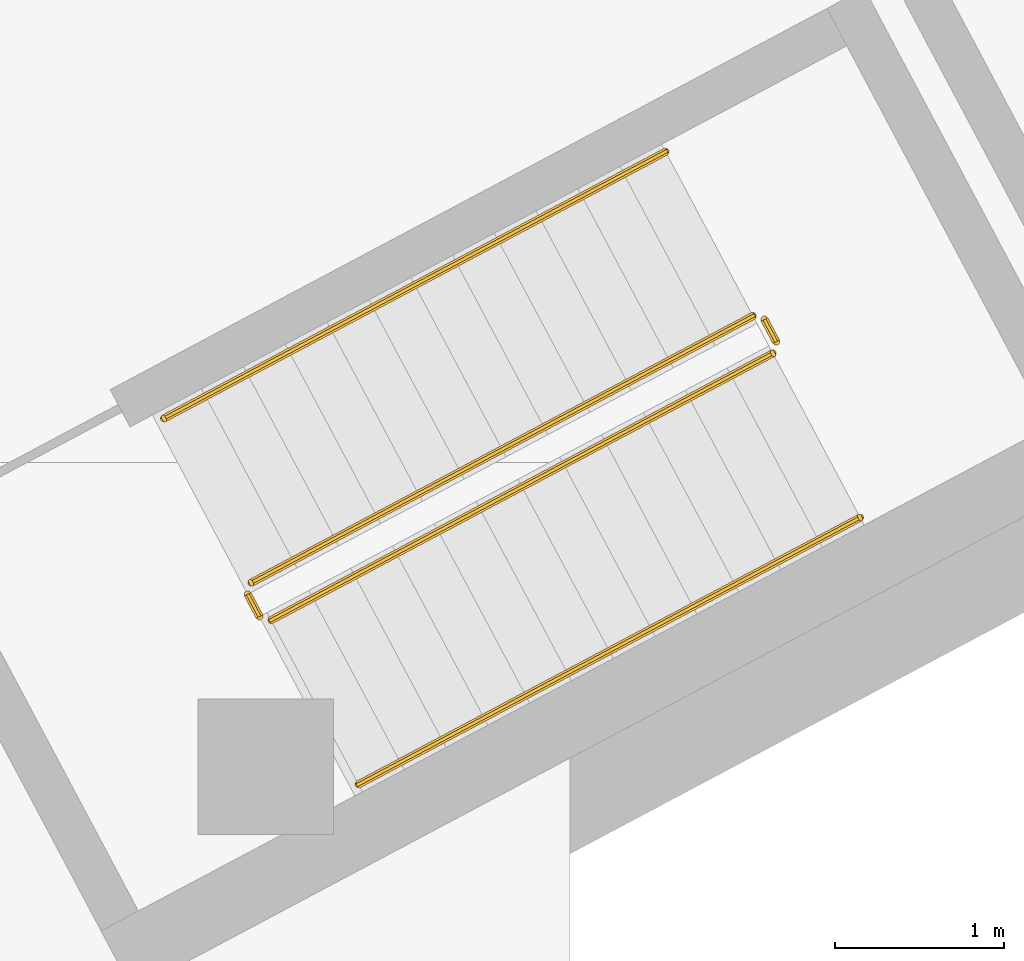
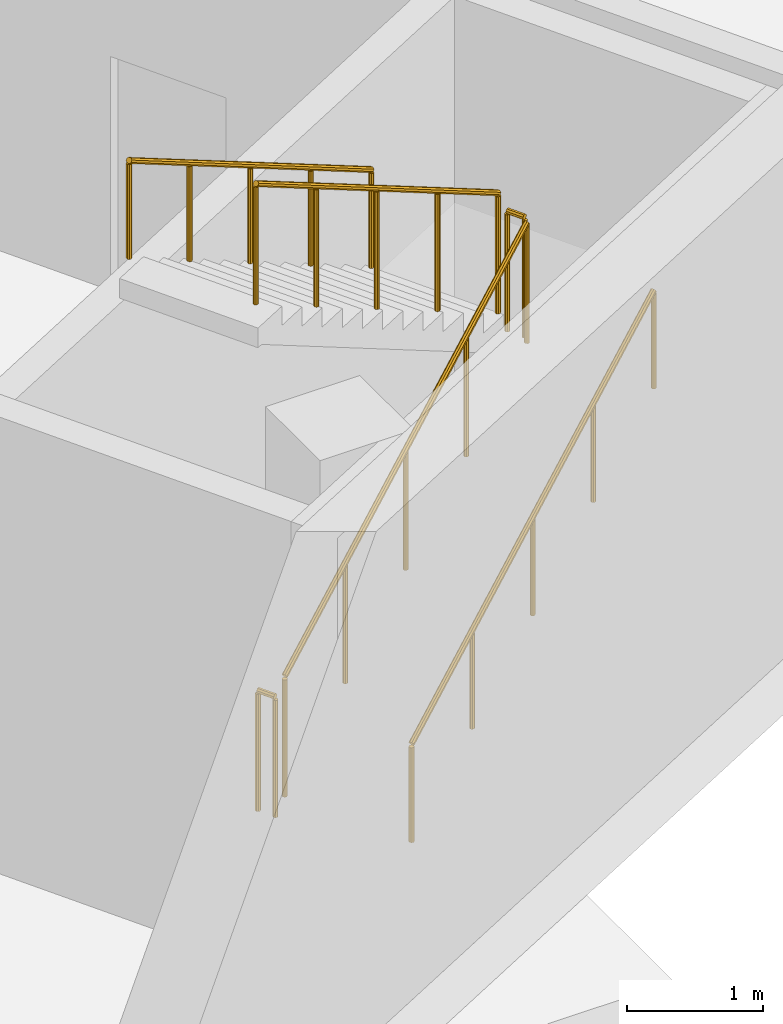
# One storey, part 27 of 29: 6 railings.
"""IFC4 building model written with IfcOpenShell, lengths in metres."""

from ifc_helpers import new_model, si_unit, direction, frame, origin, place, context, subcontext, project, spatial, polyline, outline, extrude, material, type_object, element, save


model = new_model("IFC4")

# Units and contexts
model_context = context("Model", 3, precision=1e-05, world=origin(), true_north=direction((0.0, 1.0)))
body_context = subcontext(model_context, "Body", "Model", "MODEL_VIEW")
ifc_project = project(units=[si_unit("LENGTHUNIT", "METRE"), si_unit("AREAUNIT", "SQUARE_METRE"), si_unit("VOLUMEUNIT", "CUBIC_METRE"), si_unit("PLANEANGLEUNIT", "RADIAN"), si_unit("MASSUNIT", "GRAM", prefix="KILO")], contexts=[model_context])

# Site, building, storey
site_placement = place(None, origin())
site = spatial("IfcSite", under=ifc_project, at=site_placement, CompositionType="ELEMENT")
building_placement = place(site_placement, origin())
building = spatial("IfcBuilding", under=site, at=building_placement, Name="Cormorant Relay Tower", CompositionType="ELEMENT")
storey_placement = place(building_placement, frame((0.0, 0.0, -9.0)))
storey = spatial("IfcBuildingStorey", under=building, at=storey_placement, Name="B2", CompositionType="ELEMENT", Elevation=-9.0)

# Railings
ifc_material_1 = material(Name="Steel ASTM A572 Grade 50 (Fy 345 MPa)", Category="steel")
railing_type_1 = type_object("IfcRailingType", Name="Podium stair guard 1100", PredefinedType="GUARDRAIL", material=ifc_material_1)
railing_1_placement = place(storey_placement, frame((70.831787109375, 2.04248046875, 0.173095703125)))
element("IfcRailing", 1, at=railing_1_placement, inside=storey, type_object=railing_type_1, Name="B2 X1 stair guard 1", PredefinedType="GUARDRAIL", context=body_context, shape_type="SweptSolid", body=[
    extrude(outline(polyline([(0.022216796875, 0.00927734375), (0.00927734375, 0.022216796875), (-0.00927734375, 0.022216796875), (-0.022216796875, 0.00927734375), (-0.022216796875, -0.00927734375), (-0.00927734375, -0.022216796875), (0.00927734375, -0.022216796875), (0.022216796875, -0.00927734375), (0.022216796875, 0.00927734375)])), frame((0.0, 0.0, 1.076171875), z_axis=(0.751043225181, 0.399377988901, 0.525767340077), x_axis=(-0.469509342547, 0.882927503967, 0.0)), (0.0, 0.0, 1.0), 3.9501953125),
    extrude(outline(polyline([(0.019287109375, 0.008056640625), (0.008056640625, 0.019287109375), (-0.008056640625, 0.019287109375), (-0.019287109375, 0.008056640625), (-0.019287109375, -0.008056640625), (-0.008056640625, -0.019287109375), (0.008056640625, -0.019287109375), (0.019287109375, -0.008056640625), (0.019287109375, 0.008056640625)])), origin(), (0.0, 0.0, 1.0), 1.052001953125),
    extrude(outline(polyline([(0.019287109375, 0.008056640625), (0.008056640625, 0.019287109375), (-0.008056640625, 0.019287109375), (-0.019287109375, 0.008056640625), (-0.019287109375, -0.008056640625), (-0.008056640625, -0.019287109375), (0.008056640625, -0.019287109375), (0.019287109375, -0.008056640625), (0.019287109375, 0.008056640625)])), frame((0.74169921875, 0.39453125, 0.519287109375)), (0.0, 0.0, 1.0), 1.052001953125),
    extrude(outline(polyline([(0.019287109375, 0.008056640625), (0.008056640625, 0.019287109375), (-0.008056640625, 0.019287109375), (-0.019287109375, 0.008056640625), (-0.019287109375, -0.008056640625), (-0.008056640625, -0.019287109375), (0.008056640625, -0.019287109375), (0.019287109375, -0.008056640625), (0.019287109375, 0.008056640625)])), frame((1.4833984375, 0.788818359375, 1.03857421875)), (0.0, 0.0, 1.0), 1.052001953125),
    extrude(outline(polyline([(0.019287109375, 0.008056640625), (0.008056640625, 0.019287109375), (-0.008056640625, 0.019287109375), (-0.019287109375, 0.008056640625), (-0.019287109375, -0.008056640625), (-0.008056640625, -0.019287109375), (0.008056640625, -0.019287109375), (0.019287109375, -0.008056640625), (0.019287109375, 0.008056640625)])), frame((2.22509765625, 1.18310546875, 1.5576171875)), (0.0, 0.0, 1.0), 1.052001953125),
    extrude(outline(polyline([(0.019287109375, 0.008056640625), (0.008056640625, 0.019287109375), (-0.008056640625, 0.019287109375), (-0.019287109375, 0.008056640625), (-0.019287109375, -0.008056640625), (-0.008056640625, -0.019287109375), (0.008056640625, -0.019287109375), (0.019287109375, -0.008056640625), (0.019287109375, 0.008056640625)])), frame((2.966796875, 1.57763671875, 2.076904296875)), (0.0, 0.0, 1.0), 1.052001953125),
])
railing_2_placement = place(storey_placement, frame((73.819091796875, 3.687744140625, 2.25)))
element("IfcRailing", 2, at=railing_2_placement, inside=storey, type_object=railing_type_1, Name="B2 X1 stair guard 2", PredefinedType="GUARDRAIL", context=body_context, shape_type="SweptSolid", body=[
    extrude(outline(polyline([(0.022216796875, 0.00927734375), (0.00927734375, 0.022216796875), (-0.00927734375, 0.022216796875), (-0.022216796875, 0.00927734375), (-0.022216796875, -0.00927734375), (-0.00927734375, -0.022216796875), (0.00927734375, -0.022216796875), (0.022216796875, -0.00927734375), (0.022216796875, 0.00927734375)])), frame((0.0, 0.0, 1.076171875), z_axis=(-0.469234640946, 0.883073525669, 0.0), x_axis=(-0.883073525669, -0.469234640946, 0.0)), (0.0, 0.0, 1.0), 0.14990234375),
    extrude(outline(polyline([(0.019287109375, 0.008056640625), (0.008056640625, 0.019287109375), (-0.008056640625, 0.019287109375), (-0.019287109375, 0.008056640625), (-0.019287109375, -0.008056640625), (-0.008056640625, -0.019287109375), (0.008056640625, -0.019287109375), (0.019287109375, -0.008056640625), (0.019287109375, 0.008056640625)])), origin(), (0.0, 0.0, 1.0), 1.052001953125),
    extrude(outline(polyline([(0.019287109375, 0.008056640625), (0.008056640625, 0.019287109375), (-0.008056640625, 0.019287109375), (-0.019287109375, 0.008056640625), (-0.019287109375, -0.008056640625), (-0.008056640625, -0.019287109375), (0.008056640625, -0.019287109375), (0.019287109375, -0.008056640625), (0.019287109375, 0.008056640625)])), frame((-0.0703125, 0.13232421875, 0.0)), (0.0, 0.0, 1.0), 1.052001953125),
])
railing_3_placement = place(storey_placement, frame((73.68115234375, 3.8408203125, 2.423095703125)))
element("IfcRailing", 3, at=railing_3_placement, inside=storey, type_object=railing_type_1, Name="B2 X1 stair guard 3", PredefinedType="GUARDRAIL", context=body_context, shape_type="SweptSolid", body=[
    extrude(outline(polyline([(0.022216796875, 0.00927734375), (0.00927734375, 0.022216796875), (-0.00927734375, 0.022216796875), (-0.022216796875, 0.00927734375), (-0.022216796875, -0.00927734375), (-0.00927734375, -0.022216796875), (0.00927734375, -0.022216796875), (0.022216796875, -0.00927734375), (0.022216796875, 0.00927734375)])), frame((0.0, 0.0, 1.076171875), z_axis=(-0.751061762576, -0.399326040817, 0.525780317169), x_axis=(0.46945269911, -0.882957622595, 0.0)), (0.0, 0.0, 1.0), 3.9501953125),
    extrude(outline(polyline([(0.019287109375, 0.008056640625), (0.008056640625, 0.019287109375), (-0.008056640625, 0.019287109375), (-0.019287109375, 0.008056640625), (-0.019287109375, -0.008056640625), (-0.008056640625, -0.019287109375), (0.008056640625, -0.019287109375), (0.019287109375, -0.008056640625), (0.019287109375, 0.008056640625)])), origin(), (0.0, 0.0, 1.0), 1.052001953125),
    extrude(outline(polyline([(0.019287109375, 0.008056640625), (0.008056640625, 0.019287109375), (-0.008056640625, 0.019287109375), (-0.019287109375, 0.008056640625), (-0.019287109375, -0.008056640625), (-0.008056640625, -0.019287109375), (0.008056640625, -0.019287109375), (0.019287109375, -0.008056640625), (0.019287109375, 0.008056640625)])), frame((-0.74169921875, -0.394287109375, 0.519287109375)), (0.0, 0.0, 1.0), 1.052001953125),
    extrude(outline(polyline([(0.019287109375, 0.008056640625), (0.008056640625, 0.019287109375), (-0.008056640625, 0.019287109375), (-0.019287109375, 0.008056640625), (-0.019287109375, -0.008056640625), (-0.008056640625, -0.019287109375), (0.008056640625, -0.019287109375), (0.019287109375, -0.008056640625), (0.019287109375, 0.008056640625)])), frame((-1.4833984375, -0.78857421875, 1.03857421875)), (0.0, 0.0, 1.0), 1.052001953125),
    extrude(outline(polyline([(0.019287109375, 0.008056640625), (0.008056640625, 0.019287109375), (-0.008056640625, 0.019287109375), (-0.019287109375, 0.008056640625), (-0.019287109375, -0.008056640625), (-0.008056640625, -0.019287109375), (0.008056640625, -0.019287109375), (0.019287109375, -0.008056640625), (0.019287109375, 0.008056640625)])), frame((-2.22509765625, -1.18310546875, 1.5576171875)), (0.0, 0.0, 1.0), 1.052001953125),
    extrude(outline(polyline([(0.019287109375, 0.008056640625), (0.008056640625, 0.019287109375), (-0.008056640625, 0.019287109375), (-0.019287109375, 0.008056640625), (-0.019287109375, -0.008056640625), (-0.008056640625, -0.019287109375), (0.008056640625, -0.019287109375), (0.019287109375, -0.008056640625), (0.019287109375, 0.008056640625)])), frame((-2.966796875, -1.577392578125, 2.076904296875)), (0.0, 0.0, 1.0), 1.052001953125),
])
railing_4_placement = place(storey_placement, frame((70.76416015625, 2.063232421875, 0.0)))
element("IfcRailing", 4, at=railing_4_placement, inside=storey, type_object=railing_type_1, Name="B2 X1 stair guard 4", PredefinedType="GUARDRAIL", context=body_context, shape_type="SweptSolid", body=[
    extrude(outline(polyline([(0.022216796875, 0.00927734375), (0.00927734375, 0.022216796875), (-0.00927734375, 0.022216796875), (-0.022216796875, 0.00927734375), (-0.022216796875, -0.00927734375), (-0.00927734375, -0.022216796875), (0.00927734375, -0.022216796875), (0.022216796875, -0.00927734375), (0.022216796875, 0.00927734375)])), frame((0.0, 0.0, 1.076171875), z_axis=(-0.469828648786, 0.882757634224, 0.0), x_axis=(-0.882757634224, -0.469828648786, 0.0)), (0.0, 0.0, 1.0), 0.150146484375),
    extrude(outline(polyline([(0.019287109375, 0.008056640625), (0.008056640625, 0.019287109375), (-0.008056640625, 0.019287109375), (-0.019287109375, 0.008056640625), (-0.019287109375, -0.008056640625), (-0.008056640625, -0.019287109375), (0.008056640625, -0.019287109375), (0.019287109375, -0.008056640625), (0.019287109375, 0.008056640625)])), origin(), (0.0, 0.0, 1.0), 1.052001953125),
    extrude(outline(polyline([(0.019287109375, 0.008056640625), (0.008056640625, 0.019287109375), (-0.008056640625, 0.019287109375), (-0.019287109375, 0.008056640625), (-0.019287109375, -0.008056640625), (-0.008056640625, -0.019287109375), (0.008056640625, -0.019287109375), (0.019287109375, -0.008056640625), (0.019287109375, 0.008056640625)])), frame((-0.070556640625, 0.132568359375, 0.0)), (0.0, 0.0, 1.0), 1.052001953125),
])
ifc_material_2 = material(Name="Stainless steel 316", Category="steel")
railing_type_2 = type_object("IfcRailingType", Name="Podium stair handrail 900", PredefinedType="HANDRAIL", material=ifc_material_2)
railing_5_placement = place(storey_placement, frame((71.34814453125, 1.0712890625, 0.173095703125)))
element("IfcRailing", 5, at=railing_5_placement, inside=storey, type_object=railing_type_2, Name="B2 X1 stair handrail 1", PredefinedType="HANDRAIL", context=body_context, shape_type="SweptSolid", body=[
    extrude(outline(polyline([(0.022216796875, 0.00927734375), (0.00927734375, 0.022216796875), (-0.00927734375, 0.022216796875), (-0.022216796875, 0.00927734375), (-0.022216796875, -0.00927734375), (-0.00927734375, -0.022216796875), (0.00927734375, -0.022216796875), (0.022216796875, -0.00927734375), (0.022216796875, 0.00927734375)])), frame((0.0, 0.0, 0.8759765625), z_axis=(0.751061762576, 0.399326040817, 0.525780317169), x_axis=(-0.46945269911, 0.882957622595, 0.0)), (0.0, 0.0, 1.0), 3.9501953125),
    extrude(outline(polyline([(0.019287109375, 0.008056640625), (0.008056640625, 0.019287109375), (-0.008056640625, 0.019287109375), (-0.019287109375, 0.008056640625), (-0.019287109375, -0.008056640625), (-0.008056640625, -0.019287109375), (0.008056640625, -0.019287109375), (0.019287109375, -0.008056640625), (0.019287109375, 0.008056640625)])), origin(), (0.0, 0.0, 1.0), 0.851806640625),
    extrude(outline(polyline([(0.019287109375, 0.008056640625), (0.008056640625, 0.019287109375), (-0.008056640625, 0.019287109375), (-0.019287109375, 0.008056640625), (-0.019287109375, -0.008056640625), (-0.008056640625, -0.019287109375), (0.008056640625, -0.019287109375), (0.019287109375, -0.008056640625), (0.019287109375, 0.008056640625)])), frame((0.74169921875, 0.394287109375, 0.519287109375)), (0.0, 0.0, 1.0), 0.851806640625),
    extrude(outline(polyline([(0.019287109375, 0.008056640625), (0.008056640625, 0.019287109375), (-0.008056640625, 0.019287109375), (-0.019287109375, 0.008056640625), (-0.019287109375, -0.008056640625), (-0.008056640625, -0.019287109375), (0.008056640625, -0.019287109375), (0.019287109375, -0.008056640625), (0.019287109375, 0.008056640625)])), frame((1.4833984375, 0.78857421875, 1.03857421875)), (0.0, 0.0, 1.0), 0.851806640625),
    extrude(outline(polyline([(0.019287109375, 0.008056640625), (0.008056640625, 0.019287109375), (-0.008056640625, 0.019287109375), (-0.019287109375, 0.008056640625), (-0.019287109375, -0.008056640625), (-0.008056640625, -0.019287109375), (0.008056640625, -0.019287109375), (0.019287109375, -0.008056640625), (0.019287109375, 0.008056640625)])), frame((2.22509765625, 1.18310546875, 1.5576171875)), (0.0, 0.0, 1.0), 0.851806640625),
    extrude(outline(polyline([(0.019287109375, 0.008056640625), (0.008056640625, 0.019287109375), (-0.008056640625, 0.019287109375), (-0.019287109375, 0.008056640625), (-0.019287109375, -0.008056640625), (-0.008056640625, -0.019287109375), (0.008056640625, -0.019287109375), (0.019287109375, -0.008056640625), (0.019287109375, 0.008056640625)])), frame((2.966796875, 1.577392578125, 2.076904296875)), (0.0, 0.0, 1.0), 0.851806640625),
])
railing_6_placement = place(storey_placement, frame((73.164794921875, 4.81201171875, 2.423095703125)))
element("IfcRailing", 6, at=railing_6_placement, inside=storey, type_object=railing_type_2, Name="B2 X1 stair handrail 2", PredefinedType="HANDRAIL", context=body_context, shape_type="SweptSolid", body=[
    extrude(outline(polyline([(0.022216796875, 0.00927734375), (0.00927734375, 0.022216796875), (-0.00927734375, 0.022216796875), (-0.022216796875, 0.00927734375), (-0.022216796875, -0.00927734375), (-0.00927734375, -0.022216796875), (0.00927734375, -0.022216796875), (0.022216796875, -0.00927734375), (0.022216796875, 0.00927734375)])), frame((0.0, 0.0, 0.8759765625), z_axis=(-0.751061762576, -0.399326040817, 0.525780317169), x_axis=(0.46945269911, -0.882957622595, 0.0)), (0.0, 0.0, 1.0), 3.9501953125),
    extrude(outline(polyline([(0.019287109375, 0.008056640625), (0.008056640625, 0.019287109375), (-0.008056640625, 0.019287109375), (-0.019287109375, 0.008056640625), (-0.019287109375, -0.008056640625), (-0.008056640625, -0.019287109375), (0.008056640625, -0.019287109375), (0.019287109375, -0.008056640625), (0.019287109375, 0.008056640625)])), origin(), (0.0, 0.0, 1.0), 0.851806640625),
    extrude(outline(polyline([(0.019287109375, 0.008056640625), (0.008056640625, 0.019287109375), (-0.008056640625, 0.019287109375), (-0.019287109375, 0.008056640625), (-0.019287109375, -0.008056640625), (-0.008056640625, -0.019287109375), (0.008056640625, -0.019287109375), (0.019287109375, -0.008056640625), (0.019287109375, 0.008056640625)])), frame((-0.74169921875, -0.394287109375, 0.519287109375)), (0.0, 0.0, 1.0), 0.851806640625),
    extrude(outline(polyline([(0.019287109375, 0.008056640625), (0.008056640625, 0.019287109375), (-0.008056640625, 0.019287109375), (-0.019287109375, 0.008056640625), (-0.019287109375, -0.008056640625), (-0.008056640625, -0.019287109375), (0.008056640625, -0.019287109375), (0.019287109375, -0.008056640625), (0.019287109375, 0.008056640625)])), frame((-1.4833984375, -0.78857421875, 1.03857421875)), (0.0, 0.0, 1.0), 0.851806640625),
    extrude(outline(polyline([(0.019287109375, 0.008056640625), (0.008056640625, 0.019287109375), (-0.008056640625, 0.019287109375), (-0.019287109375, 0.008056640625), (-0.019287109375, -0.008056640625), (-0.008056640625, -0.019287109375), (0.008056640625, -0.019287109375), (0.019287109375, -0.008056640625), (0.019287109375, 0.008056640625)])), frame((-2.22509765625, -1.18310546875, 1.5576171875)), (0.0, 0.0, 1.0), 0.851806640625),
    extrude(outline(polyline([(0.019287109375, 0.008056640625), (0.008056640625, 0.019287109375), (-0.008056640625, 0.019287109375), (-0.019287109375, 0.008056640625), (-0.019287109375, -0.008056640625), (-0.008056640625, -0.019287109375), (0.008056640625, -0.019287109375), (0.019287109375, -0.008056640625), (0.019287109375, 0.008056640625)])), frame((-2.966796875, -1.577392578125, 2.076904296875)), (0.0, 0.0, 1.0), 0.851806640625),
])

save(model, "model.ifc")
